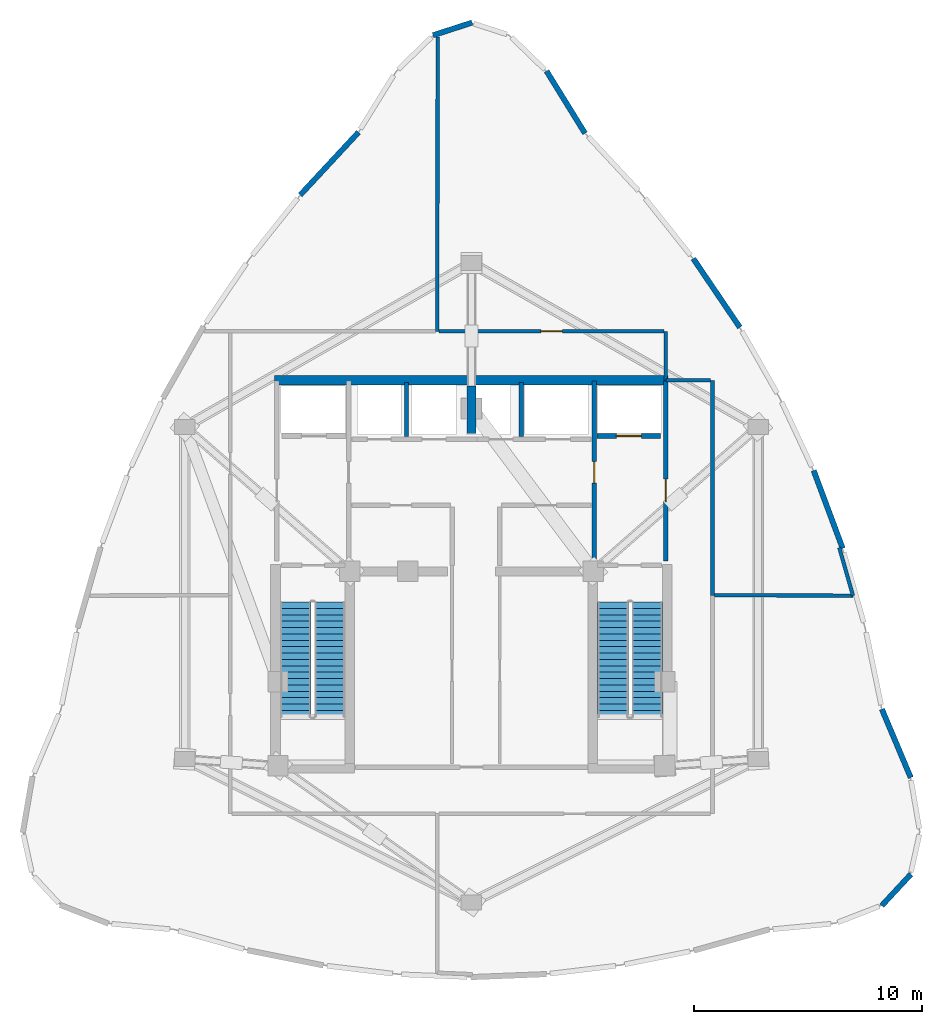
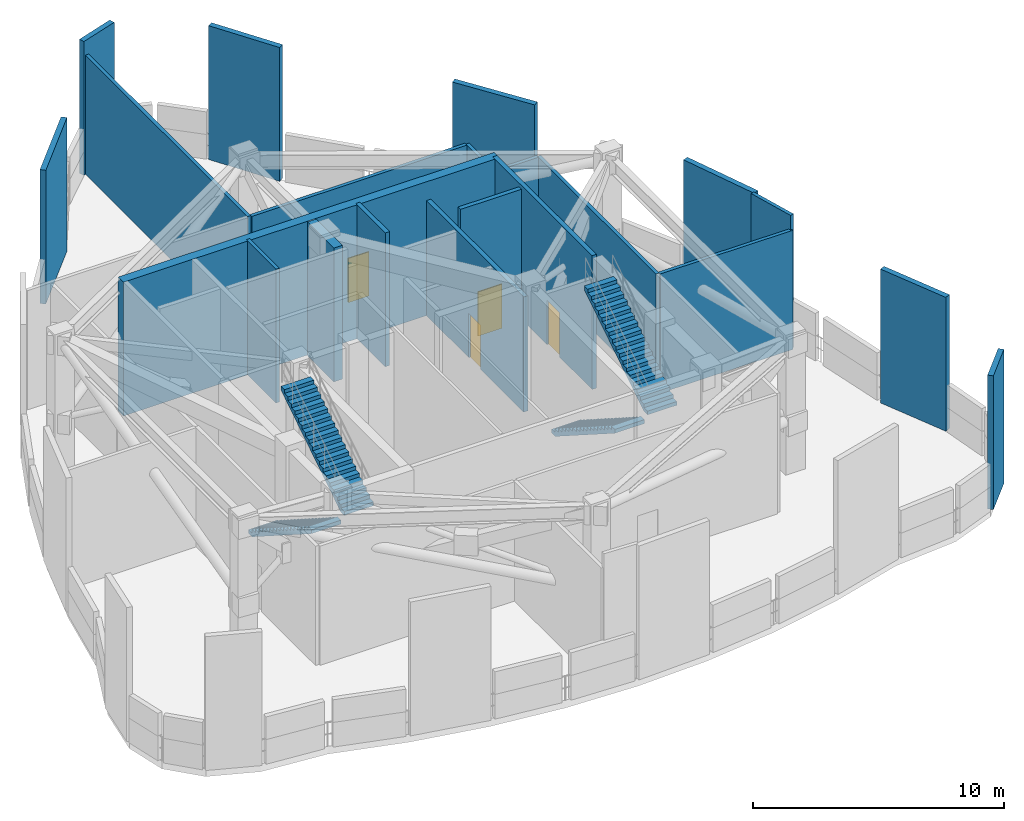
# One storey, part 4 of 8: 21 walls, 4 doors, 4 stair flights, 4 openings, 2 elements without a shape of their own.
"""IFC4 building model written with IfcOpenShell, lengths in metres."""

import ifcopenshell
import ifcopenshell.guid

model = None  # the IFC model being written
_history = None  # IfcOwnerHistory: only IFC2X3 demands one
_inside = {}  # id of a spatial element -> (the spatial element, [elements in it])
_under = {}  # id of a project, library or spatial element -> (it, [spatial elements below it])
_declared = {}  # id of a project -> (the project, [libraries it declares])
_typed = {}  # id of a type object -> (the type object, [elements of that type])
_made_of = {}  # id of a material, layer set ... -> (it, [elements and type objects made of it])


def new_model(schema):
    """Start an empty IFC model of exactly this schema.

    Asked for "IFC4X3", IfcOpenShell would pick the latest addendum, in which some entities
    have other attributes; the version numbers below select the first issue.
    IFC2X3 requires an IfcOwnerHistory on every rooted entity: one is made here for all.
    """
    global model, _history
    if schema == "IFC4X3":
        model = ifcopenshell.file(schema_version=(4, 3, 0, 0))
    else:
        model = ifcopenshell.file(schema=schema)
    _inside.clear()
    _under.clear()
    _declared.clear()
    _typed.clear()
    _made_of.clear()
    _history = None
    if model.schema == "IFC2X3":
        org = make("IfcOrganization", Name="unknown")
        user = make(
            "IfcPersonAndOrganization",
            ThePerson=make("IfcPerson", FamilyName="unknown"),
            TheOrganization=org,
        )
        app = make(
            "IfcApplication",
            ApplicationDeveloper=org,
            Version="unknown",
            ApplicationFullName="unknown",
            ApplicationIdentifier="unknown",
        )
        _history = make(
            "IfcOwnerHistory",
            OwningUser=user,
            OwningApplication=app,
            ChangeAction="ADDED",
            CreationDate=0,
        )
    return model


def make(cls, **values):
    """One entity of the class cls with the attributes given. An attribute that is None is left unset."""
    return model.create_entity(
        cls, **{name: value for name, value in values.items() if value is not None}
    )


def rooted(cls, **values):
    """An entity with a GlobalId (a new one), such as an element, a storey or a relation."""
    return make(cls, GlobalId=ifcopenshell.guid.new(), OwnerHistory=_history, **values)


def si_unit(unit_type, name, prefix=None):
    """IfcSIUnit, for example si_unit("LENGTHUNIT", "METRE", prefix="MILLI")."""
    return make("IfcSIUnit", UnitType=unit_type, Prefix=prefix, Name=name)


def assignment(units):
    """IfcUnitAssignment: the units of a project."""
    return None if units is None else make("IfcUnitAssignment", Units=units)


def point(xyz):
    """IfcCartesianPoint."""
    return None if xyz is None else make("IfcCartesianPoint", Coordinates=xyz)


def direction(xyz):
    """IfcDirection."""
    return None if xyz is None else make("IfcDirection", DirectionRatios=xyz)


def frame(location, z_axis=None, x_axis=None):
    """IfcAxis2Placement3D, a coordinate frame: its origin and axes. An axis left out is left unset."""
    return make(
        "IfcAxis2Placement3D",
        Location=point(location),
        Axis=direction(z_axis),
        RefDirection=direction(x_axis),
    )


def frame_2d(location, x_axis=None):
    """IfcAxis2Placement2D, a coordinate frame in the plane: its origin and x axis."""
    return make(
        "IfcAxis2Placement2D", Location=point(location), RefDirection=direction(x_axis)
    )


def origin():
    """The frame at (0, 0, 0) with its axes left unset."""
    return frame((0.0, 0.0, 0.0))


def place(relative_to, where):
    """IfcLocalPlacement: puts the frame where relative to a parent placement (None: the world)."""
    return make(
        "IfcLocalPlacement", PlacementRelTo=relative_to, RelativePlacement=where
    )


def context(
    kind, dimensions, precision=None, world=None, true_north=None, identifier=None
):
    """IfcGeometricRepresentationContext, for example the 3D "Model" context."""
    return make(
        "IfcGeometricRepresentationContext",
        ContextIdentifier=identifier,
        ContextType=kind,
        CoordinateSpaceDimension=dimensions,
        Precision=precision,
        WorldCoordinateSystem=world,
        TrueNorth=true_north,
    )


def subcontext(parent, identifier, kind, view, scale=None):
    """IfcGeometricRepresentationSubContext, for example "Body" below "Model"."""
    return make(
        "IfcGeometricRepresentationSubContext",
        ContextIdentifier=identifier,
        ContextType=kind,
        ParentContext=parent,
        TargetScale=scale,
        TargetView=view,
    )


def project(units=None, contexts=None):
    """IfcProject with its units and contexts."""
    return rooted(
        "IfcProject",
        Name="project",
        RepresentationContexts=contexts,
        UnitsInContext=assignment(units),
    )


def spatial(cls, under=None, at=None, **own):
    """A site, building, storey or space (cls), placed at a placement, below another one or the project."""
    s = rooted(cls, ObjectPlacement=at, **own)
    if under is not None:
        _under.setdefault(under.id(), (under, []))[1].append(s)
    return s


def polyline(points):
    """IfcPolyline through the points."""
    return make("IfcPolyline", Points=[point(p) for p in points])


def profile(cls, at=None, kind="AREA", **sizes):
    """A parametric profile (cls). Its sizes go by their IFC names, for example OverallWidth=200.0."""
    return make(cls, ProfileType=kind, Position=at, **sizes)


def rectangle(**sizes):
    """IfcRectangleProfileDef."""
    return profile("IfcRectangleProfileDef", **sizes)


def outline(outer, holes=None, kind="AREA"):
    """IfcArbitraryClosedProfileDef: a profile drawn as a closed curve; with holes, ...WithVoids."""
    if holes is None:
        return make("IfcArbitraryClosedProfileDef", ProfileType=kind, OuterCurve=outer)
    return make(
        "IfcArbitraryProfileDefWithVoids",
        ProfileType=kind,
        OuterCurve=outer,
        InnerCurves=holes,
    )


def extrude(swept, where, along, depth):
    """IfcExtrudedAreaSolid: the profile swept, set in the frame where, extruded along a direction by depth."""
    return make(
        "IfcExtrudedAreaSolid",
        SweptArea=swept,
        Position=where,
        ExtrudedDirection=direction(along),
        Depth=depth,
    )


def shape(context_of_items, identifier, shape_type, items):
    """IfcShapeRepresentation: the items that make up one representation, for example the "Body"."""
    return make(
        "IfcShapeRepresentation",
        ContextOfItems=context_of_items,
        RepresentationIdentifier=identifier,
        RepresentationType=shape_type,
        Items=items,
    )


def material(Name=None, Category=None):
    """IfcMaterial."""
    return make("IfcMaterial", Name=Name, Category=Category)


def layer(
    of_material, thickness, ventilated=None, Name=None, Category=None, Priority=None
):
    """IfcMaterialLayer: one layer of a wall or slab, of a material (None: an air gap)."""
    return make(
        "IfcMaterialLayer",
        Material=of_material,
        LayerThickness=thickness,
        IsVentilated=ventilated,
        Name=Name,
        Category=Category,
        Priority=Priority,
    )


def layer_set(layers, Name=None):
    """IfcMaterialLayerSet."""
    return make("IfcMaterialLayerSet", MaterialLayers=layers, LayerSetName=Name)


def made_of(thing, what):
    """Note that an element or type object is made of a material, layer set ...; save() writes the relation."""
    if what is not None:
        _made_of.setdefault(what.id(), (what, []))[1].append(thing)
    return thing


def type_object(cls, material=None, **own):
    """A type object (cls), such as IfcWallType, which elements share."""
    return made_of(rooted(cls, **own), material)


def element(
    cls,
    number,
    at=None,
    inside=None,
    cuts=None,
    type_object=None,
    material=None,
    context=None,
    identifier="Body",
    shape_type=None,
    held_by="IfcProductDefinitionShape",
    body=None,
    shapes=None,
    **own,
):
    """One element of the class cls, such as IfcWall. Its Tag is "e" and its number.

    at: its placement. inside: the storey or other place that contains it. cuts: it is an
    opening in that element (IfcRelVoidsElement). A single representation is given by context,
    identifier, shape_type and body (its items); several are given by shapes. held_by: the class
    of the entity that holds the representations. save() writes the other relations.
    """
    e = rooted(cls, Tag="e%d" % number, ObjectPlacement=at, **own)
    if body is not None:
        shapes = [shape(context, identifier, shape_type, body)]
    if shapes is not None:
        e.Representation = make(held_by, Representations=shapes)
    if inside is not None:
        _inside.setdefault(inside.id(), (inside, []))[1].append(e)
    if cuts is not None:
        rooted(
            "IfcRelVoidsElement", RelatingBuildingElement=cuts, RelatedOpeningElement=e
        )
    if type_object is not None:
        _typed.setdefault(type_object.id(), (type_object, []))[1].append(e)
    return made_of(e, material)


def fill(opening, filler):
    """IfcRelFillsElement: the door or window that sits in an opening."""
    return rooted(
        "IfcRelFillsElement",
        RelatingOpeningElement=opening,
        RelatedBuildingElement=filler,
    )


def aggregate(whole, parts):
    """IfcRelAggregates: a whole, such as a stair, and the parts it consists of."""
    return rooted("IfcRelAggregates", RelatingObject=whole, RelatedObjects=parts)


def save(model, path):
    """Write the relations noted so far, then the file.

    IfcRelAggregates (storeys below a building ...), IfcRelContainedInSpatialStructure (elements
    in a storey), IfcRelDefinesByType, IfcRelAssociatesMaterial and IfcRelDeclares: one each for
    every whole, place, type object, material and project.
    """
    for whole, parts in _under.values():
        aggregate(whole, parts)
    for where, things in _inside.values():
        rooted(
            "IfcRelContainedInSpatialStructure",
            RelatedElements=things,
            RelatingStructure=where,
        )
    for kind, things in _typed.values():
        rooted("IfcRelDefinesByType", RelatedObjects=things, RelatingType=kind)
    for what, things in _made_of.values():
        rooted("IfcRelAssociatesMaterial", RelatedObjects=things, RelatingMaterial=what)
    for by, libraries in _declared.values():
        rooted("IfcRelDeclares", RelatingContext=by, RelatedDefinitions=libraries)
    model.write(path)


model = new_model("IFC4")

# Units and contexts
model_context = context("Model", 3, precision=1e-05, world=origin(), true_north=direction((0.0, 1.0)))
body_context = subcontext(model_context, "Body", "Model", "MODEL_VIEW")
ifc_project = project(units=[si_unit("LENGTHUNIT", "METRE"), si_unit("AREAUNIT", "SQUARE_METRE"), si_unit("VOLUMEUNIT", "CUBIC_METRE"), si_unit("PLANEANGLEUNIT", "RADIAN"), si_unit("MASSUNIT", "GRAM", prefix="KILO")], contexts=[model_context])

# Site, building, storey
site_placement = place(None, origin())
site = spatial("IfcSite", under=ifc_project, at=site_placement, CompositionType="ELEMENT")
building_placement = place(site_placement, origin())
building = spatial("IfcBuilding", under=site, at=building_placement, Name="Miruveldt Soraemaru", CompositionType="ELEMENT")
storey_placement = place(building_placement, frame((0.0, 0.0, 282.800048828125)))
storey = spatial("IfcBuildingStorey", under=building, at=storey_placement, Name="L77", CompositionType="ELEMENT", Elevation=282.800048828125)

# Walls
ifc_material_1 = material(Name="Concrete C70/85 (70 MPa)", Category="concrete")
ifc_layer_1 = layer(ifc_material_1, 0.5, Name="Concrete C70/85 (70 MPa)", Category="concrete")
ifc_layer_set_1 = layer_set([ifc_layer_1], Name="Concrete C70/85 (70 MPa)")
wall_type_1 = type_object("IfcWallType", Name="WALL-BW-500", PredefinedType="SHEAR", material=ifc_layer_set_1)
wall_1_placement = place(storey_placement, frame((44.0, 50.10009765625, 0.0), z_axis=(0.0, 0.0, 1.0), x_axis=(0.0, 1.0, 0.0)))
element("IfcWall", 1, at=wall_1_placement, inside=storey, type_object=wall_type_1, Name="L77 Core Buttress Shear Wall BN", PredefinedType="SHEAR", context=body_context, shape_type="SweptSolid", body=[
    extrude(rectangle(XDim=2.099853515625, YDim=0.39990234375, at=frame_2d((1.0498046875, 0.0))), origin(), (0.0, 0.0, 1.0), 6.510009765625),
])
ifc_material_2 = material(Name="Concrete C50/60 (50 MPa)", Category="concrete")
ifc_layer_2 = layer(ifc_material_2, 0.419921875, Name="Concrete C50/60 (50 MPa)", Category="concrete")
ifc_layer_set_2 = layer_set([ifc_layer_2], Name="Concrete C50/60 (50 MPa)")
wall_type_2 = type_object("IfcWallType", Name="WALL-CW-420", PredefinedType="SHEAR", material=ifc_layer_set_2)
wall_2_placement = place(storey_placement, frame((35.35009765625, 52.449951171875, 0.0), z_axis=(0.0, 0.0, 1.0), x_axis=(1.0, 0.0, 0.0)))
element("IfcWall", 2, at=wall_2_placement, inside=storey, type_object=wall_type_2, Name="L77 Central Core Shear Wall N", PredefinedType="SHEAR", context=body_context, shape_type="SweptSolid", body=[
    extrude(rectangle(XDim=17.2998046875, YDim=0.419921875, at=frame_2d((8.64990234375, 0.0))), origin(), (0.0, 0.0, 1.0), 6.510009765625),
])
ifc_material_3 = material(Name="Precast concrete C45/55 (45 MPa)", Category="concrete")
ifc_layer_3 = layer(ifc_material_3, 0.239990234375, Name="Precast concrete C45/55 (45 MPa)", Category="concrete")
ifc_layer_set_3 = layer_set([ifc_layer_3], Name="Precast concrete C45/55 (45 MPa)")
wall_type_3 = type_object("IfcWallType", Name="WALL-EXT-PC240", PredefinedType="SOLIDWALL", material=ifc_layer_set_3)
wall_3_placement = place(storey_placement, frame((48.99609375, 63.304931640625, 0.0), z_axis=(0.0, 0.0, 1.0), x_axis=(-0.526048785292, 0.850454393541, 0.0)))
element("IfcWall", 3, at=wall_3_placement, inside=storey, type_object=wall_type_3, Name="L77 Turbine Slot Pier Wall 1", PredefinedType="SOLIDWALL", context=body_context, shape_type="SweptSolid", body=[
    extrude(rectangle(XDim=3.2158203125, YDim=0.239990234375, at=frame_2d((1.60791015625, 0.0))), origin(), (0.0, 0.0, 1.0), 6.510009765625),
])
wall_4_placement = place(storey_placement, frame((44.028564453125, 68.17041015625, 0.0), z_axis=(0.0, 0.0, 1.0), x_axis=(-0.951512079285, -0.307611383039, 0.0)))
element("IfcWall", 4, at=wall_4_placement, inside=storey, type_object=wall_type_3, Name="L77 Turbine Slot Pier Wall 4", PredefinedType="SOLIDWALL", context=body_context, shape_type="SweptSolid", body=[
    extrude(rectangle(XDim=1.8046875, YDim=0.239990234375, at=frame_2d((0.90234375, 0.0))), origin(), (0.0, 0.0, 1.0), 6.510009765625),
])
wall_5_placement = place(storey_placement, frame((39.0400390625, 63.3525390625, 0.0), z_axis=(0.0, 0.0, 1.0), x_axis=(-0.680856477384, -0.732416860268, 0.0)))
element("IfcWall", 5, at=wall_5_placement, inside=storey, type_object=wall_type_3, Name="L77 Turbine Slot Pier Wall 7", PredefinedType="SOLIDWALL", context=body_context, shape_type="SweptSolid", body=[
    extrude(rectangle(XDim=3.764404296875, YDim=0.239990234375, at=frame_2d((1.88232421875, 0.0))), origin(), (0.0, 0.0, 1.0), 6.510009765625),
])
wall_6_placement = place(storey_placement, frame((62.035400390625, 29.35546875, 0.0), z_axis=(0.0, 0.0, 1.0), x_axis=(0.680138997812, 0.733083176491, 0.0)))
element("IfcWall", 6, at=wall_6_placement, inside=storey, type_object=wall_type_3, Name="L77 Turbine Slot Pier Wall 31", PredefinedType="SOLIDWALL", context=body_context, shape_type="SweptSolid", body=[
    extrude(rectangle(XDim=1.890625, YDim=0.239990234375, at=frame_2d((0.9453125, 0.0))), origin(), (0.0, 0.0, 1.0), 6.510009765625),
])
wall_7_placement = place(storey_placement, frame((63.3125, 34.98583984375, 0.0), z_axis=(0.0, 0.0, 1.0), x_axis=(-0.388595330771, 0.921408524436, 0.0)))
element("IfcWall", 7, at=wall_7_placement, inside=storey, type_object=wall_type_3, Name="L77 Turbine Slot Pier Wall 34", PredefinedType="SOLIDWALL", context=body_context, shape_type="SweptSolid", body=[
    extrude(rectangle(XDim=3.263916015625, YDim=0.239990234375, at=frame_2d((1.6318359375, 0.0))), origin(), (0.0, 0.0, 1.0), 6.510009765625),
])
wall_8_placement = place(storey_placement, frame((60.3193359375, 45.063232421875, 0.0), z_axis=(0.0, 0.0, 1.0), x_axis=(-0.349042271825, 0.937106980274, 0.0)))
element("IfcWall", 8, at=wall_8_placement, inside=storey, type_object=wall_type_3, Name="L77 Turbine Slot Pier Wall 37", PredefinedType="SOLIDWALL", context=body_context, shape_type="SweptSolid", body=[
    extrude(rectangle(XDim=3.652587890625, YDim=0.239990234375, at=frame_2d((1.826171875, 0.0))), origin(), (0.0, 0.0, 1.0), 6.510009765625),
])
wall_9_placement = place(storey_placement, frame((55.802978515625, 54.7744140625, 0.0), z_axis=(0.0, 0.0, 1.0), x_axis=(-0.560839277874, 0.827924697297, 0.0)))
element("IfcWall", 9, at=wall_9_placement, inside=storey, type_object=wall_type_3, Name="L77 Turbine Slot Pier Wall 40", PredefinedType="SOLIDWALL", context=body_context, shape_type="SweptSolid", body=[
    extrude(rectangle(XDim=3.65283203125, YDim=0.239990234375, at=frame_2d((1.826416015625, 0.0))), origin(), (0.0, 0.0, 1.0), 6.510009765625),
])

# Wall, opening, door
ifc_material_4 = material(Name="Concrete C40/50 (40 MPa)", Category="concrete")
ifc_layer_4 = layer(ifc_material_4, 0.159912109375, Name="Concrete C40/50 (40 MPa)", Category="concrete")
ifc_layer_set_4 = layer_set([ifc_layer_4], Name="Concrete C40/50 (40 MPa)")
wall_type_4 = type_object("IfcWallType", Name="WALL-INT-RC160", PredefinedType="SOLIDWALL", material=ifc_layer_set_4)
wall_10_placement = place(storey_placement, frame((52.469970703125, 54.60009765625, 0.0), z_axis=(0.0, 0.0, 1.0), x_axis=(-1.0, 0.0, 0.0)))
wall_10 = element("IfcWall", 10, at=wall_10_placement, inside=storey, type_object=wall_type_4, Name="L77 Partition Wall 10", PredefinedType="SOLIDWALL", context=body_context, shape_type="SweptSolid", body=[
    extrude(rectangle(XDim=9.889892578125, YDim=0.159912109375, at=frame_2d((4.94482421875, 0.0))), origin(), (0.0, 0.0, 1.0), 5.7978515625),
])
opening_1_placement = place(wall_10_placement, frame((4.469970703125, 0.0, 0.0)))
opening_1 = element("IfcOpeningElement", 11, at=opening_1_placement, cuts=wall_10, Name="Opening FD2", PredefinedType="OPENING", context=body_context, shape_type="SweptSolid", body=[
    extrude(rectangle(XDim=0.949951171875, YDim=2.14990234375, at=frame_2d((0.47509765625, 1.074951171875))), frame((0.0, 0.08984375, 0.0), z_axis=(0.0, -1.0, 0.0), x_axis=(1.0, 0.0, 0.0)), (0.0, 0.0, 1.0), 0.179931640625),
])
ifc_material_5 = material(Name="Anodised aluminium EN AW-6063 T6", Category="aluminium")
door_type_1 = type_object("IfcDoorType", Name="DOOR-FD2-950", OperationType="NOTDEFINED", PredefinedType="DOOR", material=ifc_material_5)
door_1_placement = place(opening_1_placement, origin())
door_1 = element("IfcDoor", 12, at=door_1_placement, inside=storey, type_object=door_type_1, Name="L77 Electrical Switchgear and Pump Plant Room Fire Door", OperationType="SINGLE_SWING_LEFT", OverallHeight=2.14990234375, OverallWidth=0.949951171875, PredefinedType="DOOR", context=body_context, shape_type="SweptSolid", body=[
    extrude(rectangle(XDim=0.949951171875, YDim=2.14990234375, at=frame_2d((0.47509765625, 1.074951171875))), frame((0.0, 0.02490234375, 0.0), z_axis=(0.0, -1.0, 0.0), x_axis=(1.0, 0.0, 0.0)), (0.0, 0.0, 1.0), 0.050048828125),
])
fill(opening_1, door_1)

# Walls
wall_11_placement = place(storey_placement, frame((42.5, 54.60009765625, 0.0), z_axis=(0.0, 0.0, 1.0), x_axis=(0.001320703727, 0.99999912787, 0.0)))
element("IfcWall", 13, at=wall_11_placement, inside=storey, type_object=wall_type_4, Name="L77 Partition Wall 14", PredefinedType="SOLIDWALL", context=body_context, shape_type="SweptSolid", body=[
    extrude(rectangle(XDim=12.93994140625, YDim=0.159912109375, at=frame_2d((6.469970703125, 0.0))), origin(), (0.0, 0.0, 1.0), 5.7978515625),
])
wall_12_placement = place(storey_placement, frame((54.60009765625, 43.0, 0.0), z_axis=(0.0, 0.0, 1.0), x_axis=(0.0, 1.0, 0.0)))
element("IfcWall", 14, at=wall_12_placement, inside=storey, type_object=wall_type_4, Name="L77 Partition Wall 7", PredefinedType="SOLIDWALL", context=body_context, shape_type="SweptSolid", body=[
    extrude(rectangle(XDim=9.449951171875, YDim=0.159912109375, at=frame_2d((4.72509765625, 0.0))), origin(), (0.0, 0.0, 1.0), 5.7978515625),
])
wall_13_placement = place(storey_placement, frame((60.77099609375, 42.985107421875, 0.0), z_axis=(0.0, 0.0, 1.0), x_axis=(-0.999997011031, 0.002444980467, 0.0)))
element("IfcWall", 15, at=wall_13_placement, inside=storey, type_object=wall_type_4, Name="L77 Partition Wall 13", PredefinedType="SOLIDWALL", context=body_context, shape_type="SweptSolid", body=[
    extrude(rectangle(XDim=6.091064453125, YDim=0.159912109375, at=frame_2d((3.04541015625, 0.0))), origin(), (0.0, 0.0, 1.0), 5.7978515625),
])
wall_14_placement = place(storey_placement, frame((41.14990234375, 49.97998046875, 0.0), z_axis=(0.0, 0.0, 1.0), x_axis=(0.0, 1.0, 0.0)))
element("IfcWall", 16, at=wall_14_placement, inside=storey, type_object=wall_type_4, Name="L77 Core Compartment Wall PLH-DIV1", PredefinedType="SOLIDWALL", context=body_context, shape_type="SweptSolid", body=[
    extrude(rectangle(XDim=2.3701171875, YDim=0.159912109375, at=frame_2d((1.18505859375, 0.0))), origin(), (0.0, 0.0, 1.0), 6.510009765625),
])
wall_15_placement = place(storey_placement, frame((60.77099609375, 42.985107421875, 0.0), z_axis=(0.0, 0.0, 1.0), x_axis=(-0.273544099142, 0.961859462616, 0.0)))
element("IfcWall", 17, at=wall_15_placement, inside=storey, type_object=wall_type_4, Name="L77 Partition Closure Return 2", PredefinedType="SOLIDWALL", context=body_context, shape_type="SweptSolid", body=[
    extrude(rectangle(XDim=2.19189453125, YDim=0.159912109375, at=frame_2d((1.095947265625, 0.0))), origin(), (0.0, 0.0, 1.0), 6.510009765625),
])
wall_16_placement = place(storey_placement, frame((52.550048828125, 52.449951171875, 0.0), z_axis=(0.0, 0.0, 1.0), x_axis=(0.0, 1.0, 0.0)))
element("IfcWall", 18, at=wall_16_placement, inside=storey, type_object=wall_type_4, Name="L77 Partition Wall 9", PredefinedType="SOLIDWALL", context=body_context, shape_type="SweptSolid", body=[
    extrude(rectangle(XDim=2.150146484375, YDim=0.159912109375, at=frame_2d((1.0751953125, 0.0))), origin(), (0.0, 0.0, 1.0), 5.7978515625),
])
wall_17_placement = place(storey_placement, frame((54.52001953125, 52.449951171875, 0.0), z_axis=(0.0, 0.0, 1.0), x_axis=(-1.0, 0.0, 0.0)))
element("IfcWall", 19, at=wall_17_placement, inside=storey, type_object=wall_type_4, Name="L77 Partition Wall 8", PredefinedType="SOLIDWALL", context=body_context, shape_type="SweptSolid", body=[
    extrude(rectangle(XDim=1.969970703125, YDim=0.159912109375, at=frame_2d((0.98486328125, 0.0))), origin(), (0.0, 0.0, 1.0), 5.7978515625),
])

# Wall, opening, door
ifc_layer_5 = layer(ifc_material_4, 0.199951171875, Name="Concrete C40/50 (40 MPa)", Category="concrete")
ifc_layer_set_5 = layer_set([ifc_layer_5], Name="Concrete C40/50 (40 MPa)")
wall_type_5 = type_object("IfcWallType", Name="WALL-INT-RC200", PredefinedType="SOLIDWALL", material=ifc_layer_set_5)
wall_18_placement = place(storey_placement, frame((52.550048828125, 44.5, 0.0), z_axis=(0.0, 0.0, 1.0), x_axis=(0.0, 1.0, 0.0)))
wall_18 = element("IfcWall", 20, at=wall_18_placement, inside=storey, type_object=wall_type_5, Name="L77 Core Compartment Wall FFE-OUT", PredefinedType="SOLIDWALL", context=body_context, shape_type="SweptSolid", body=[
    extrude(rectangle(XDim=7.919921875, YDim=0.199951171875, at=frame_2d((3.9599609375, 0.0))), origin(), (0.0, 0.0, 1.0), 6.510009765625),
])
opening_2_placement = place(wall_18_placement, frame((2.60009765625, 0.0, 0.0)))
opening_2 = element("IfcOpeningElement", 21, at=opening_2_placement, cuts=wall_18, Name="Opening FD1", PredefinedType="OPENING", context=body_context, shape_type="SweptSolid", body=[
    extrude(rectangle(XDim=1.0, YDim=2.14990234375, at=frame_2d((0.5, 1.074951171875))), frame((0.0, 0.10986328125, 0.0), z_axis=(0.0, -1.0, 0.0), x_axis=(1.0, 0.0, 0.0)), (0.0, 0.0, 1.0), 0.219970703125),
])
door_type_2 = type_object("IfcDoorType", Name="DOOR-FD1-1000", OperationType="NOTDEFINED", PredefinedType="DOOR", material=ifc_material_5)
door_2_placement = place(opening_2_placement, frame((1.0, 0.0, 0.0), z_axis=(0.0, 0.0, 1.0), x_axis=(-1.0, 0.0, 0.0)))
door_2 = element("IfcDoor", 22, at=door_2_placement, inside=storey, type_object=door_type_2, Name="L77 East Firefighting Lobby Exit Door", OperationType="SINGLE_SWING_RIGHT", OverallHeight=2.14990234375, OverallWidth=1.0, PredefinedType="DOOR", context=body_context, shape_type="SweptSolid", body=[
    extrude(rectangle(XDim=1.0, YDim=2.14990234375, at=frame_2d((0.5, 1.074951171875))), frame((0.0, 0.02490234375, 0.0), z_axis=(0.0, -1.0, 0.0), x_axis=(1.0, 0.0, 0.0)), (0.0, 0.0, 1.0), 0.050048828125),
])
fill(opening_2, door_2)

wall_19_placement = place(storey_placement, frame((49.39990234375, 44.5, 0.0), z_axis=(0.0, 0.0, 1.0), x_axis=(0.0, 1.0, 0.0)))
wall_19 = element("IfcWall", 23, at=wall_19_placement, inside=storey, type_object=wall_type_5, Name="L77 Core Compartment Wall FFE-IN", PredefinedType="SOLIDWALL", context=body_context, shape_type="SweptSolid", body=[
    extrude(rectangle(XDim=7.919921875, YDim=0.199951171875, at=frame_2d((3.9599609375, 0.0))), origin(), (0.0, 0.0, 1.0), 5.597900390625),
])
opening_3_placement = place(wall_19_placement, frame((3.425048828125, 0.0, 0.0)))
opening_3 = element("IfcOpeningElement", 24, at=opening_3_placement, cuts=wall_19, Name="Opening FD2", PredefinedType="OPENING", context=body_context, shape_type="SweptSolid", body=[
    extrude(rectangle(XDim=0.949951171875, YDim=2.14990234375, at=frame_2d((0.47509765625, 1.074951171875))), frame((0.0, 0.10986328125, 0.0), z_axis=(0.0, -1.0, 0.0), x_axis=(1.0, 0.0, 0.0)), (0.0, 0.0, 1.0), 0.219970703125),
])
door_3_placement = place(opening_3_placement, origin())
door_3 = element("IfcDoor", 25, at=door_3_placement, inside=storey, type_object=door_type_1, Name="L77 Lift Lobby to East Fire Lobby Door", OperationType="SINGLE_SWING_LEFT", OverallHeight=2.14990234375, OverallWidth=0.949951171875, PredefinedType="DOOR", context=body_context, shape_type="SweptSolid", body=[
    extrude(rectangle(XDim=0.949951171875, YDim=2.14990234375, at=frame_2d((0.47509765625, 1.074951171875))), frame((0.0, 0.02490234375, 0.0), z_axis=(0.0, -1.0, 0.0), x_axis=(1.0, 0.0, 0.0)), (0.0, 0.0, 1.0), 0.050048828125),
])
fill(opening_3, door_3)

wall_20_placement = place(storey_placement, frame((49.52001953125, 50.0, 0.0), z_axis=(0.0, 0.0, 1.0), x_axis=(1.0, 0.0, 0.0)))
wall_20 = element("IfcWall", 26, at=wall_20_placement, inside=storey, type_object=wall_type_5, Name="L77 Core Compartment Wall FFL2-S", PredefinedType="SOLIDWALL", context=body_context, shape_type="SweptSolid", body=[
    extrude(rectangle(XDim=2.800048828125, YDim=0.199951171875, at=frame_2d((1.39990234375, 0.0))), origin(), (0.0, 0.0, 1.0), 6.510009765625),
])
opening_4_placement = place(wall_20_placement, frame((0.85009765625, 0.0, 0.0)))
opening_4 = element("IfcOpeningElement", 27, at=opening_4_placement, cuts=wall_20, Name="Opening LD2", PredefinedType="OPENING", context=body_context, shape_type="SweptSolid", body=[
    extrude(rectangle(XDim=1.10009765625, YDim=2.14990234375, at=frame_2d((0.550048828125, 1.074951171875))), frame((0.0, 0.10986328125, 0.0), z_axis=(0.0, -1.0, 0.0), x_axis=(1.0, 0.0, 0.0)), (0.0, 0.0, 1.0), 0.219970703125),
])
door_type_3 = type_object("IfcDoorType", Name="DOOR-LD2-1100", OperationType="SLIDING_TO_LEFT", PredefinedType="DOOR", material=ifc_material_5)
door_4_placement = place(opening_4_placement, origin())
door_4 = element("IfcDoor", 28, at=door_4_placement, inside=storey, type_object=door_type_3, Name="L77 FFL-2 Landing Door", OperationType="SLIDING_TO_LEFT", OverallHeight=2.14990234375, OverallWidth=1.10009765625, PredefinedType="DOOR", context=body_context, shape_type="SweptSolid", body=[
    extrude(rectangle(XDim=1.10009765625, YDim=2.14990234375, at=frame_2d((0.550048828125, 1.074951171875))), frame((0.0, 0.02490234375, 0.0), z_axis=(0.0, -1.0, 0.0), x_axis=(1.0, 0.0, 0.0)), (0.0, 0.0, 1.0), 0.050048828125),
])
fill(opening_4, door_4)

# Wall
wall_21_placement = place(storey_placement, frame((46.199951171875, 49.97998046875, 0.0), z_axis=(0.0, 0.0, 1.0), x_axis=(0.0, 1.0, 0.0)))
element("IfcWall", 29, at=wall_21_placement, inside=storey, type_object=wall_type_5, Name="L77 Core Compartment Wall PLH-SL-DIV", PredefinedType="SOLIDWALL", context=body_context, shape_type="SweptSolid", body=[
    extrude(rectangle(XDim=2.3701171875, YDim=0.199951171875, at=frame_2d((1.18505859375, 0.0))), origin(), (0.0, 0.0, 1.0), 6.510009765625),
])

# Stair, stair flights
stair_type = type_object("IfcStairType", Name="STAIR-DL-680", PredefinedType="HALF_TURN_STAIR", material=ifc_material_4)
stair_1_placement = place(storey_placement, origin())
stair_1 = element("IfcStair", 30, at=stair_1_placement, inside=storey, type_object=stair_type, Name="L77 Protected Exit Stair ST-1", PredefinedType="HALF_TURN_STAIR")
stair_flight_type = type_object("IfcStairFlightType", Name="SFL-DL-680", PredefinedType="STRAIGHT", material=ifc_material_4)
stair_flight_1_placement = place(storey_placement, frame((36.27490234375, 42.699951171875, 0.0), z_axis=(0.0, 0.0, 1.0), x_axis=(0.0, -1.0, 0.0)))
stair_flight_1 = element("IfcStairFlight", 31, at=stair_flight_1_placement, type_object=stair_flight_type, Name="ST-1 flight 1", NumberOfRisers=19, NumberOfTreads=18, PredefinedType="STRAIGHT", RiserHeight=0.178947368, TreadLength=0.28, context=body_context, shape_type="SweptSolid", body=[
    extrude(outline(polyline([(0.0, 0.0), (0.0, 0.178955078125), (0.280029296875, 0.178955078125), (0.280029296875, 0.35791015625), (0.56005859375, 0.35791015625), (0.56005859375, 0.536865234375), (0.840087890625, 0.536865234375), (0.840087890625, 0.7158203125), (1.1201171875, 0.7158203125), (1.1201171875, 0.894775390625), (1.39990234375, 0.894775390625), (1.39990234375, 1.07373046875), (1.679931640625, 1.07373046875), (1.679931640625, 1.252685546875), (1.9599609375, 1.252685546875), (1.9599609375, 1.431640625), (2.239990234375, 1.431640625), (2.239990234375, 1.610595703125), (2.52001953125, 1.610595703125), (2.52001953125, 1.78955078125), (2.800048828125, 1.78955078125), (2.800048828125, 1.968505859375), (3.080078125, 1.968505859375), (3.080078125, 2.1474609375), (3.360107421875, 2.1474609375), (3.360107421875, 2.326416015625), (3.639892578125, 2.326416015625), (3.639892578125, 2.50537109375), (3.919921875, 2.50537109375), (3.919921875, 2.684326171875), (4.199951171875, 2.684326171875), (4.199951171875, 2.863037109375), (4.47998046875, 2.863037109375), (4.47998046875, 3.0419921875), (4.760009765625, 3.0419921875), (4.760009765625, 3.220947265625), (5.0400390625, 3.220947265625), (5.0400390625, 3.39990234375), (5.0400390625, 3.03125), (0.296875, 0.0), (0.0, 0.0)])), frame((0.0, 0.675048828125, 0.0), z_axis=(0.0, -1.0, 0.0), x_axis=(1.0, 0.0, 0.0)), (0.0, 0.0, 1.0), 1.35009765625),
])
stair_flight_2_placement = place(storey_placement, frame((37.77490234375, 37.659912109375, 3.39990234375), z_axis=(0.0, 0.0, 1.0), x_axis=(0.0, 1.0, 0.0)))
stair_flight_2 = element("IfcStairFlight", 32, at=stair_flight_2_placement, type_object=stair_flight_type, Name="ST-1 flight 2", NumberOfRisers=19, NumberOfTreads=18, PredefinedType="STRAIGHT", RiserHeight=0.178947368, TreadLength=0.28, context=body_context, shape_type="SweptSolid", body=[
    extrude(outline(polyline([(0.0, 0.0), (0.0, 0.178955078125), (0.280029296875, 0.178955078125), (0.280029296875, 0.35791015625), (0.56005859375, 0.35791015625), (0.56005859375, 0.536865234375), (0.840087890625, 0.536865234375), (0.840087890625, 0.7158203125), (1.1201171875, 0.7158203125), (1.1201171875, 0.894775390625), (1.39990234375, 0.894775390625), (1.39990234375, 1.07373046875), (1.679931640625, 1.07373046875), (1.679931640625, 1.252685546875), (1.9599609375, 1.252685546875), (1.9599609375, 1.431640625), (2.239990234375, 1.431640625), (2.239990234375, 1.610595703125), (2.52001953125, 1.610595703125), (2.52001953125, 1.78955078125), (2.800048828125, 1.78955078125), (2.800048828125, 1.968505859375), (3.080078125, 1.968505859375), (3.080078125, 2.1474609375), (3.360107421875, 2.1474609375), (3.360107421875, 2.326416015625), (3.639892578125, 2.326416015625), (3.639892578125, 2.50537109375), (3.919921875, 2.50537109375), (3.919921875, 2.684326171875), (4.199951171875, 2.684326171875), (4.199951171875, 2.863037109375), (4.47998046875, 2.863037109375), (4.47998046875, 3.0419921875), (4.760009765625, 3.0419921875), (4.760009765625, 3.220947265625), (5.0400390625, 3.220947265625), (5.0400390625, 3.39990234375), (5.0400390625, 3.03125), (0.296875, 0.0), (0.0, 0.0)])), frame((0.0, 0.675048828125, 0.0), z_axis=(0.0, -1.0, 0.0), x_axis=(1.0, 0.0, 0.0)), (0.0, 0.0, 1.0), 1.35009765625),
])
aggregate(stair_1, [stair_flight_1, stair_flight_2])

stair_2_placement = place(storey_placement, origin())
stair_2 = element("IfcStair", 33, at=stair_2_placement, inside=storey, type_object=stair_type, Name="L77 Protected Exit Stair ST-2", PredefinedType="HALF_TURN_STAIR")
stair_flight_3_placement = place(storey_placement, frame((50.22509765625, 42.699951171875, 0.0), z_axis=(0.0, 0.0, 1.0), x_axis=(0.0, -1.0, 0.0)))
stair_flight_3 = element("IfcStairFlight", 34, at=stair_flight_3_placement, type_object=stair_flight_type, Name="ST-2 flight 1", NumberOfRisers=19, NumberOfTreads=18, PredefinedType="STRAIGHT", RiserHeight=0.178947368, TreadLength=0.28, context=body_context, shape_type="SweptSolid", body=[
    extrude(outline(polyline([(0.0, 0.0), (0.0, 0.178955078125), (0.280029296875, 0.178955078125), (0.280029296875, 0.35791015625), (0.56005859375, 0.35791015625), (0.56005859375, 0.536865234375), (0.840087890625, 0.536865234375), (0.840087890625, 0.7158203125), (1.1201171875, 0.7158203125), (1.1201171875, 0.894775390625), (1.39990234375, 0.894775390625), (1.39990234375, 1.07373046875), (1.679931640625, 1.07373046875), (1.679931640625, 1.252685546875), (1.9599609375, 1.252685546875), (1.9599609375, 1.431640625), (2.239990234375, 1.431640625), (2.239990234375, 1.610595703125), (2.52001953125, 1.610595703125), (2.52001953125, 1.78955078125), (2.800048828125, 1.78955078125), (2.800048828125, 1.968505859375), (3.080078125, 1.968505859375), (3.080078125, 2.1474609375), (3.360107421875, 2.1474609375), (3.360107421875, 2.326416015625), (3.639892578125, 2.326416015625), (3.639892578125, 2.50537109375), (3.919921875, 2.50537109375), (3.919921875, 2.684326171875), (4.199951171875, 2.684326171875), (4.199951171875, 2.863037109375), (4.47998046875, 2.863037109375), (4.47998046875, 3.0419921875), (4.760009765625, 3.0419921875), (4.760009765625, 3.220947265625), (5.0400390625, 3.220947265625), (5.0400390625, 3.39990234375), (5.0400390625, 3.03125), (0.296875, 0.0), (0.0, 0.0)])), frame((0.0, 0.675048828125, 0.0), z_axis=(0.0, -1.0, 0.0), x_axis=(1.0, 0.0, 0.0)), (0.0, 0.0, 1.0), 1.35009765625),
])
stair_flight_4_placement = place(storey_placement, frame((51.72509765625, 37.659912109375, 3.39990234375), z_axis=(0.0, 0.0, 1.0), x_axis=(0.0, 1.0, 0.0)))
stair_flight_4 = element("IfcStairFlight", 35, at=stair_flight_4_placement, type_object=stair_flight_type, Name="ST-2 flight 2", NumberOfRisers=19, NumberOfTreads=18, PredefinedType="STRAIGHT", RiserHeight=0.178947368, TreadLength=0.28, context=body_context, shape_type="SweptSolid", body=[
    extrude(outline(polyline([(0.0, 0.0), (0.0, 0.178955078125), (0.280029296875, 0.178955078125), (0.280029296875, 0.35791015625), (0.56005859375, 0.35791015625), (0.56005859375, 0.536865234375), (0.840087890625, 0.536865234375), (0.840087890625, 0.7158203125), (1.1201171875, 0.7158203125), (1.1201171875, 0.894775390625), (1.39990234375, 0.894775390625), (1.39990234375, 1.07373046875), (1.679931640625, 1.07373046875), (1.679931640625, 1.252685546875), (1.9599609375, 1.252685546875), (1.9599609375, 1.431640625), (2.239990234375, 1.431640625), (2.239990234375, 1.610595703125), (2.52001953125, 1.610595703125), (2.52001953125, 1.78955078125), (2.800048828125, 1.78955078125), (2.800048828125, 1.968505859375), (3.080078125, 1.968505859375), (3.080078125, 2.1474609375), (3.360107421875, 2.1474609375), (3.360107421875, 2.326416015625), (3.639892578125, 2.326416015625), (3.639892578125, 2.50537109375), (3.919921875, 2.50537109375), (3.919921875, 2.684326171875), (4.199951171875, 2.684326171875), (4.199951171875, 2.863037109375), (4.47998046875, 2.863037109375), (4.47998046875, 3.0419921875), (4.760009765625, 3.0419921875), (4.760009765625, 3.220947265625), (5.0400390625, 3.220947265625), (5.0400390625, 3.39990234375), (5.0400390625, 3.03125), (0.296875, 0.0), (0.0, 0.0)])), frame((0.0, 0.675048828125, 0.0), z_axis=(0.0, -1.0, 0.0), x_axis=(1.0, 0.0, 0.0)), (0.0, 0.0, 1.0), 1.35009765625),
])
aggregate(stair_2, [stair_flight_3, stair_flight_4])

save(model, "model.ifc")
